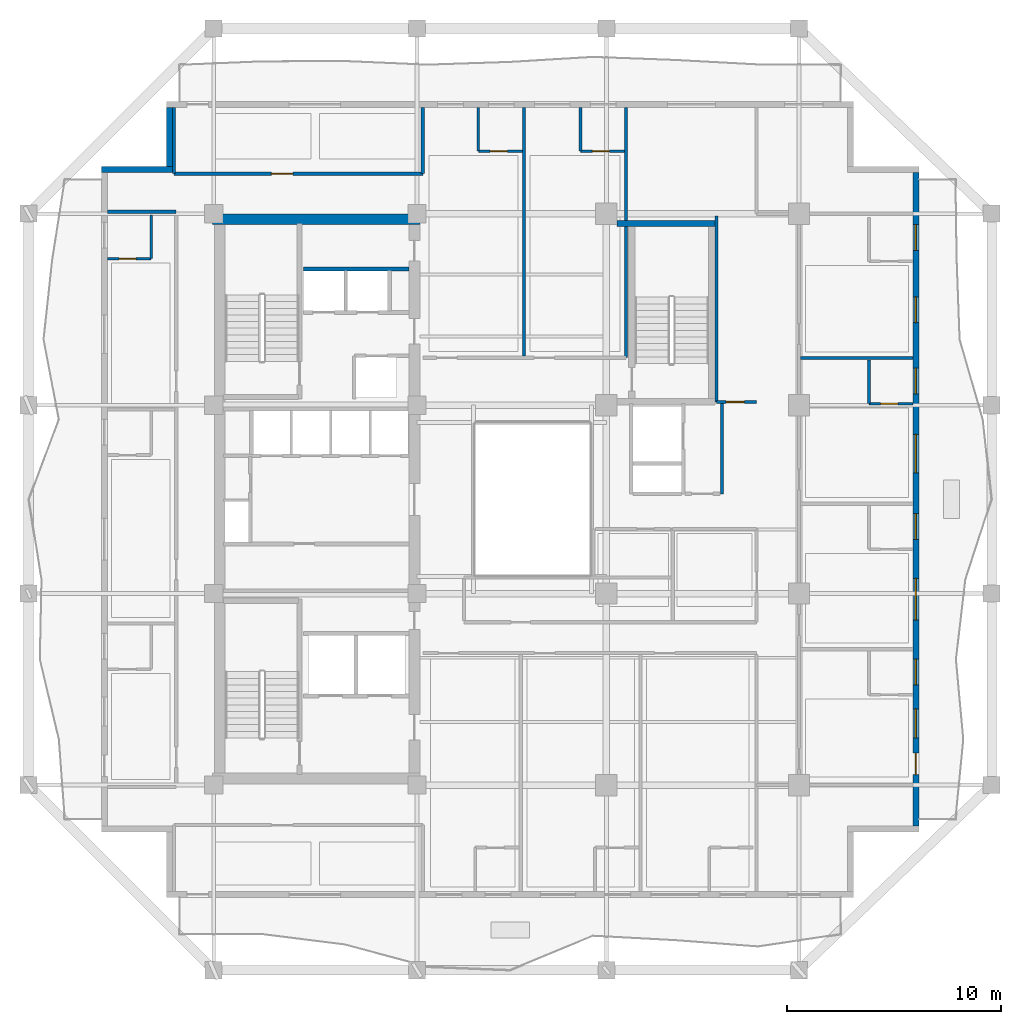
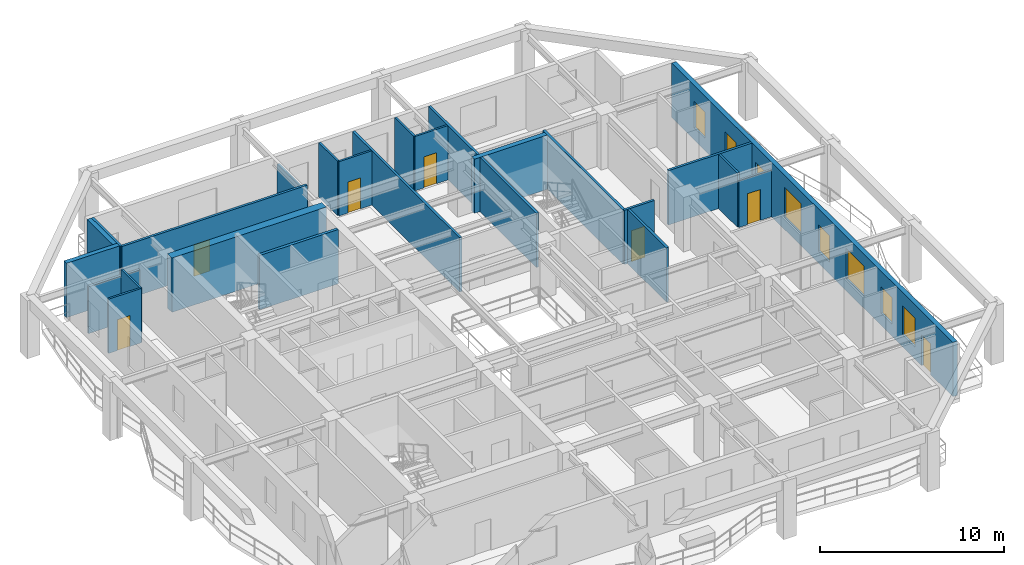
# One storey, part 6 of 11: 24 walls, 8 windows, 7 doors, 15 openings.
"""IFC4 building model written with IfcOpenShell, lengths in metres."""

from ifc_helpers import new_model, si_unit, direction, frame, frame_2d, origin, place, context, subcontext, project, spatial, rectangle, extrude, material, layer, layer_set, type_object, element, fill, save


model = new_model("IFC4")

# Units and contexts
model_context = context("Model", 3, precision=1e-05, world=origin(), true_north=direction((0.0, 1.0)))
body_context = subcontext(model_context, "Body", "Model", "MODEL_VIEW")
ifc_project = project(units=[si_unit("LENGTHUNIT", "METRE"), si_unit("AREAUNIT", "SQUARE_METRE"), si_unit("VOLUMEUNIT", "CUBIC_METRE"), si_unit("PLANEANGLEUNIT", "RADIAN"), si_unit("MASSUNIT", "GRAM", prefix="KILO")], contexts=[model_context])

# Site, building, storey
site_placement = place(None, origin())
site = spatial("IfcSite", under=ifc_project, at=site_placement, CompositionType="ELEMENT")
building_placement = place(site_placement, origin())
building = spatial("IfcBuilding", under=site, at=building_placement, Name="Kundavana Baori Tower", CompositionType="ELEMENT")
storey_placement = place(building_placement, frame((0.0, 0.0, 127.10009765625)))
storey = spatial("IfcBuildingStorey", under=building, at=storey_placement, Name="L30", CompositionType="ELEMENT", Elevation=127.10009765625)

# Wall
ifc_material_1 = material(Name="Concrete C50/60", Category="concrete")
ifc_layer_1 = layer(ifc_material_1, 0.5, Name="WL-CORE-500")
ifc_layer_set_1 = layer_set([ifc_layer_1], Name="Concrete C50/60")
wall_type_1 = type_object("IfcWallType", Name="WL-CORE-500", PredefinedType="SHEAR", material=ifc_layer_set_1)
wall_1_placement = place(storey_placement, frame((15.39990234375, 41.68994140625, 0.0), z_axis=(0.0, 0.0, 1.0), x_axis=(1.0, 0.0, 0.0)))
element("IfcWall", 1, at=wall_1_placement, inside=storey, type_object=wall_type_1, Name="L30 Offset Core North Shear Wall", PredefinedType="SHEAR", context=body_context, shape_type="SweptSolid", body=[
    extrude(rectangle(XDim=9.68017578125, YDim=0.5, at=frame_2d((4.840087890625, 0.0))), origin(), (0.0, 0.0, 1.0), 3.599853515625),
])

# Wall, openings, door, windows
ifc_material_2 = material(Name="Red-Buff Dholpur Sandstone Cladding on Concrete C40/50", Category="masonry")
ifc_layer_2 = layer(ifc_material_2, 0.280029296875, Name="WL-EXT-SAND-280")
ifc_layer_set_2 = layer_set([ifc_layer_2], Name="Red-Buff Dholpur Sandstone Cladding on Concrete C40/50")
wall_type_2 = type_object("IfcWallType", Name="WL-EXT-SAND-280", PredefinedType="STANDARD", material=ifc_layer_set_2)
wall_2_placement = place(storey_placement, frame((48.260009765625, 13.330078125, 0.0), z_axis=(0.0, 0.0, 1.0), x_axis=(0.0, 1.0, 0.0)))
wall_2 = element("IfcWall", 2, at=wall_2_placement, inside=storey, type_object=wall_type_2, Name="L30 Exterior Insulated Facade Wall 04", PredefinedType="STANDARD", context=body_context, shape_type="SweptSolid", body=[
    extrude(rectangle(XDim=30.5400390625, YDim=0.280029296875, at=frame_2d((15.27001953125, 0.0))), origin(), (0.0, 0.0, 1.0), 3.599853515625),
])
opening_1_placement = place(wall_2_placement, frame((2.409912109375, 0.0, 0.0)))
opening_1 = element("IfcOpeningElement", 3, at=opening_1_placement, cuts=wall_2, Name="Opening BD-1", PredefinedType="OPENING", context=body_context, shape_type="SweptSolid", body=[
    extrude(rectangle(XDim=1.0, YDim=2.050048828125, at=frame_2d((0.5, 1.02490234375))), frame((0.0, 0.14990234375, 0.0), z_axis=(0.0, -1.0, 0.0), x_axis=(1.0, 0.0, 0.0)), (0.0, 0.0, 1.0), 0.300048828125),
])
opening_2_placement = place(wall_2_placement, frame((4.1298828125, 0.0, 0.800048828125)))
opening_2 = element("IfcOpeningElement", 4, at=opening_2_placement, cuts=wall_2, Name="Opening W-07", PredefinedType="OPENING", context=body_context, shape_type="SweptSolid", body=[
    extrude(rectangle(XDim=1.35009765625, YDim=1.89990234375, at=frame_2d((0.675048828125, 0.949951171875))), frame((0.0, 0.14990234375, 0.0), z_axis=(0.0, -1.0, 0.0), x_axis=(1.0, 0.0, 0.0)), (0.0, 0.0, 1.0), 0.300048828125),
])
opening_3_placement = place(wall_2_placement, frame((6.60498046875, 0.0, 0.800048828125)))
opening_3 = element("IfcOpeningElement", 5, at=opening_3_placement, cuts=wall_2, Name="Opening W-03", PredefinedType="OPENING", context=body_context, shape_type="SweptSolid", body=[
    extrude(rectangle(XDim=1.199951171875, YDim=1.75, at=frame_2d((0.60009765625, 0.875))), frame((0.0, 0.14990234375, 0.0), z_axis=(0.0, -1.0, 0.0), x_axis=(1.0, 0.0, 0.0)), (0.0, 0.0, 1.0), 0.300048828125),
])
opening_4_placement = place(wall_2_placement, frame((9.6298828125, 0.0, 0.800048828125)))
opening_4 = element("IfcOpeningElement", 6, at=opening_4_placement, cuts=wall_2, Name="Opening W-09", PredefinedType="OPENING", context=body_context, shape_type="SweptSolid", body=[
    extrude(rectangle(XDim=1.949951171875, YDim=2.0, at=frame_2d((0.97509765625, 1.0))), frame((0.0, 0.14990234375, 0.0), z_axis=(0.0, -1.0, 0.0), x_axis=(1.0, 0.0, 0.0)), (0.0, 0.0, 1.0), 0.300048828125),
])
opening_5_placement = place(wall_2_placement, frame((13.405029296875, 0.0, 0.800048828125)))
opening_5 = element("IfcOpeningElement", 7, at=opening_5_placement, cuts=wall_2, Name="Opening W-03", PredefinedType="OPENING", context=body_context, shape_type="SweptSolid", body=[
    extrude(rectangle(XDim=1.199951171875, YDim=1.75, at=frame_2d((0.60009765625, 0.875))), frame((0.0, 0.14990234375, 0.0), z_axis=(0.0, -1.0, 0.0), x_axis=(1.0, 0.0, 0.0)), (0.0, 0.0, 1.0), 0.300048828125),
])
opening_6_placement = place(wall_2_placement, frame((16.5048828125, 0.0, 0.800048828125)))
opening_6 = element("IfcOpeningElement", 8, at=opening_6_placement, cuts=wall_2, Name="Opening W-01", PredefinedType="OPENING", context=body_context, shape_type="SweptSolid", body=[
    extrude(rectangle(XDim=1.800048828125, YDim=2.0, at=frame_2d((0.89990234375, 1.0))), frame((0.0, 0.14990234375, 0.0), z_axis=(0.0, -1.0, 0.0), x_axis=(1.0, 0.0, 0.0)), (0.0, 0.0, 1.0), 0.300048828125),
])
opening_7_placement = place(wall_2_placement, frame((20.205078125, 0.0, 0.800048828125)))
opening_7 = element("IfcOpeningElement", 9, at=opening_7_placement, cuts=wall_2, Name="Opening W-03", PredefinedType="OPENING", context=body_context, shape_type="SweptSolid", body=[
    extrude(rectangle(XDim=1.199951171875, YDim=1.75, at=frame_2d((0.60009765625, 0.875))), frame((0.0, 0.14990234375, 0.0), z_axis=(0.0, -1.0, 0.0), x_axis=(1.0, 0.0, 0.0)), (0.0, 0.0, 1.0), 0.300048828125),
])
opening_8_placement = place(wall_2_placement, frame((23.530029296875, 0.0, 0.800048828125)))
opening_8 = element("IfcOpeningElement", 10, at=opening_8_placement, cuts=wall_2, Name="Opening W-03", PredefinedType="OPENING", context=body_context, shape_type="SweptSolid", body=[
    extrude(rectangle(XDim=1.199951171875, YDim=1.75, at=frame_2d((0.60009765625, 0.875))), frame((0.0, 0.14990234375, 0.0), z_axis=(0.0, -1.0, 0.0), x_axis=(1.0, 0.0, 0.0)), (0.0, 0.0, 1.0), 0.300048828125),
])
opening_9_placement = place(wall_2_placement, frame((26.905029296875, 0.0, 0.800048828125)))
opening_9 = element("IfcOpeningElement", 11, at=opening_9_placement, cuts=wall_2, Name="Opening W-03", PredefinedType="OPENING", context=body_context, shape_type="SweptSolid", body=[
    extrude(rectangle(XDim=1.199951171875, YDim=1.75, at=frame_2d((0.60009765625, 0.875))), frame((0.0, 0.14990234375, 0.0), z_axis=(0.0, -1.0, 0.0), x_axis=(1.0, 0.0, 0.0)), (0.0, 0.0, 1.0), 0.300048828125),
])
ifc_material_3 = material(Name="Architectural Patinated Bronze Metalwork")
door_type_1 = type_object("IfcDoorType", Name="DR-EXT-LOG-1000", OperationType="NOTDEFINED", PredefinedType="DOOR", material=ifc_material_3)
door_1_placement = place(opening_1_placement, frame((1.0, 0.0, 0.0), z_axis=(0.0, 0.0, 1.0), x_axis=(-1.0, 0.0, 0.0)))
door_1 = element("IfcDoor", 12, at=door_1_placement, inside=storey, type_object=door_type_1, Name="L30 Loggia Balcony Access Door E", OperationType="SINGLE_SWING_RIGHT", OverallHeight=2.050048828125, OverallWidth=1.0, PredefinedType="DOOR", context=body_context, shape_type="SweptSolid", body=[
    extrude(rectangle(XDim=1.0, YDim=2.050048828125, at=frame_2d((0.5, 1.02490234375))), frame((0.0, 0.02490234375, 0.0), z_axis=(0.0, -1.0, 0.0), x_axis=(1.0, 0.0, 0.0)), (0.0, 0.0, 1.0), 0.050048828125),
])
fill(opening_1, door_1)
ifc_material_4 = material(Name="Double-Glazed Solar-Control Low-E Insulated Glass", Category="glass")
window_type_1 = type_object("IfcWindowType", Name="WIN-LOG-1200x1750", PartitioningType="SINGLE_PANEL", PredefinedType="WINDOW", material=ifc_material_4)
window_1_placement = place(opening_3_placement, origin())
window_1 = element("IfcWindow", 13, at=window_1_placement, inside=storey, type_object=window_type_1, Name="L30 Recessed Loggia Window E-2", OverallHeight=1.75, OverallWidth=1.199951171875, PartitioningType="SINGLE_PANEL", PredefinedType="WINDOW", context=body_context, shape_type="SweptSolid", body=[
    extrude(rectangle(XDim=1.199951171875, YDim=1.75, at=frame_2d((0.60009765625, 0.875))), frame((0.0, 0.030029296875, 0.0), z_axis=(0.0, -1.0, 0.0), x_axis=(1.0, 0.0, 0.0)), (0.0, 0.0, 1.0), 0.06005859375),
])
fill(opening_3, window_1)
window_2_placement = place(opening_5_placement, origin())
window_2 = element("IfcWindow", 14, at=window_2_placement, inside=storey, type_object=window_type_1, Name="L30 Recessed Loggia Window E-4", OverallHeight=1.75, OverallWidth=1.199951171875, PartitioningType="SINGLE_PANEL", PredefinedType="WINDOW", context=body_context, shape_type="SweptSolid", body=[
    extrude(rectangle(XDim=1.199951171875, YDim=1.75, at=frame_2d((0.60009765625, 0.875))), frame((0.0, 0.030029296875, 0.0), z_axis=(0.0, -1.0, 0.0), x_axis=(1.0, 0.0, 0.0)), (0.0, 0.0, 1.0), 0.06005859375),
])
fill(opening_5, window_2)
window_3_placement = place(opening_7_placement, origin())
window_3 = element("IfcWindow", 15, at=window_3_placement, inside=storey, type_object=window_type_1, Name="L30 Recessed Loggia Window E-6", OverallHeight=1.75, OverallWidth=1.199951171875, PartitioningType="SINGLE_PANEL", PredefinedType="WINDOW", context=body_context, shape_type="SweptSolid", body=[
    extrude(rectangle(XDim=1.199951171875, YDim=1.75, at=frame_2d((0.60009765625, 0.875))), frame((0.0, 0.030029296875, 0.0), z_axis=(0.0, -1.0, 0.0), x_axis=(1.0, 0.0, 0.0)), (0.0, 0.0, 1.0), 0.06005859375),
])
fill(opening_7, window_3)
window_4_placement = place(opening_8_placement, origin())
window_4 = element("IfcWindow", 16, at=window_4_placement, inside=storey, type_object=window_type_1, Name="L30 Recessed Loggia Window E-7", OverallHeight=1.75, OverallWidth=1.199951171875, PartitioningType="SINGLE_PANEL", PredefinedType="WINDOW", context=body_context, shape_type="SweptSolid", body=[
    extrude(rectangle(XDim=1.199951171875, YDim=1.75, at=frame_2d((0.60009765625, 0.875))), frame((0.0, 0.030029296875, 0.0), z_axis=(0.0, -1.0, 0.0), x_axis=(1.0, 0.0, 0.0)), (0.0, 0.0, 1.0), 0.06005859375),
])
fill(opening_8, window_4)
window_5_placement = place(opening_9_placement, origin())
window_5 = element("IfcWindow", 17, at=window_5_placement, inside=storey, type_object=window_type_1, Name="L30 Recessed Loggia Window E-8", OverallHeight=1.75, OverallWidth=1.199951171875, PartitioningType="SINGLE_PANEL", PredefinedType="WINDOW", context=body_context, shape_type="SweptSolid", body=[
    extrude(rectangle(XDim=1.199951171875, YDim=1.75, at=frame_2d((0.60009765625, 0.875))), frame((0.0, 0.030029296875, 0.0), z_axis=(0.0, -1.0, 0.0), x_axis=(1.0, 0.0, 0.0)), (0.0, 0.0, 1.0), 0.06005859375),
])
fill(opening_9, window_5)
ifc_material_5 = material(Name="Double-Glazed Solar-Control Low-E Insulated Glass", Category="glass")
window_type_2 = type_object("IfcWindowType", Name="WIN-LOG-1350x1900", PartitioningType="SINGLE_PANEL", PredefinedType="WINDOW", material=ifc_material_5)
window_6_placement = place(opening_2_placement, origin())
window_6 = element("IfcWindow", 18, at=window_6_placement, inside=storey, type_object=window_type_2, Name="L30 Recessed Loggia Window E-1", OverallHeight=1.89990234375, OverallWidth=1.35009765625, PartitioningType="SINGLE_PANEL", PredefinedType="WINDOW", context=body_context, shape_type="SweptSolid", body=[
    extrude(rectangle(XDim=1.35009765625, YDim=1.89990234375, at=frame_2d((0.675048828125, 0.949951171875))), frame((0.0, 0.030029296875, 0.0), z_axis=(0.0, -1.0, 0.0), x_axis=(1.0, 0.0, 0.0)), (0.0, 0.0, 1.0), 0.06005859375),
])
fill(opening_2, window_6)
ifc_material_6 = material(Name="Double-Glazed Solar-Control Low-E Insulated Glass", Category="glass")
window_type_3 = type_object("IfcWindowType", Name="WIN-LOG-1800x2000", PartitioningType="SINGLE_PANEL", PredefinedType="WINDOW", material=ifc_material_6)
window_7_placement = place(opening_6_placement, origin())
window_7 = element("IfcWindow", 19, at=window_7_placement, inside=storey, type_object=window_type_3, Name="L30 Recessed Loggia Window E-5", OverallHeight=2.0, OverallWidth=1.800048828125, PartitioningType="SINGLE_PANEL", PredefinedType="WINDOW", context=body_context, shape_type="SweptSolid", body=[
    extrude(rectangle(XDim=1.800048828125, YDim=2.0, at=frame_2d((0.89990234375, 1.0))), frame((0.0, 0.030029296875, 0.0), z_axis=(0.0, -1.0, 0.0), x_axis=(1.0, 0.0, 0.0)), (0.0, 0.0, 1.0), 0.06005859375),
])
fill(opening_6, window_7)
ifc_material_7 = material(Name="Double-Glazed Solar-Control Low-E Insulated Glass", Category="glass")
window_type_4 = type_object("IfcWindowType", Name="WIN-LOG-1950x2000", PartitioningType="SINGLE_PANEL", PredefinedType="WINDOW", material=ifc_material_7)
window_8_placement = place(opening_4_placement, origin())
window_8 = element("IfcWindow", 20, at=window_8_placement, inside=storey, type_object=window_type_4, Name="L30 Recessed Loggia Window E-3", OverallHeight=2.0, OverallWidth=1.949951171875, PartitioningType="SINGLE_PANEL", PredefinedType="WINDOW", context=body_context, shape_type="SweptSolid", body=[
    extrude(rectangle(XDim=1.949951171875, YDim=2.0, at=frame_2d((0.97509765625, 1.0))), frame((0.0, 0.030029296875, 0.0), z_axis=(0.0, -1.0, 0.0), x_axis=(1.0, 0.0, 0.0)), (0.0, 0.0, 1.0), 0.06005859375),
])
fill(opening_4, window_8)

# Walls
wall_3_placement = place(storey_placement, frame((13.389892578125, 46.919921875, 0.0), z_axis=(0.0, 0.0, 1.0), x_axis=(0.0, -1.0, 0.0)))
element("IfcWall", 21, at=wall_3_placement, inside=storey, type_object=wall_type_2, Name="L30 Exterior Insulated Facade Wall 08", PredefinedType="STANDARD", context=body_context, shape_type="SweptSolid", body=[
    extrude(rectangle(XDim=2.77001953125, YDim=0.280029296875, at=frame_2d((1.385009765625, 0.0))), origin(), (0.0, 0.0, 1.0), 3.599853515625),
])
wall_4_placement = place(storey_placement, frame((13.530029296875, 44.010009765625, 0.0), z_axis=(0.0, 0.0, 1.0), x_axis=(-1.0, 0.0, 0.0)))
element("IfcWall", 22, at=wall_4_placement, inside=storey, type_object=wall_type_2, Name="L30 Exterior Insulated Facade Wall 09", PredefinedType="STANDARD", context=body_context, shape_type="SweptSolid", body=[
    extrude(rectangle(XDim=3.330078125, YDim=0.280029296875, at=frame_2d((1.6650390625, 0.0))), origin(), (0.0, 0.0, 1.0), 3.599853515625),
])
ifc_material_8 = material(Name="Fire-Rated Gypsum Drywall on Galvanised Steel Studs", Category="steel")
ifc_layer_3 = layer(ifc_material_8, 0.14990234375, Name="WL-PART-150")
ifc_layer_set_3 = layer_set([ifc_layer_3], Name="Fire-Rated Gypsum Drywall on Galvanised Steel Studs")
wall_type_3 = type_object("IfcWallType", Name="WL-PART-150", PredefinedType="PARTITIONING", material=ifc_layer_set_3)
wall_5_placement = place(storey_placement, frame((39.199951171875, 28.860107421875, 0.0), z_axis=(0.0, 0.0, 1.0), x_axis=(0.0, 1.0, 0.0)))
element("IfcWall", 23, at=wall_5_placement, inside=storey, type_object=wall_type_3, Name="WL-L30-SVLOB-E", PredefinedType="PARTITIONING", context=body_context, shape_type="SweptSolid", body=[
    extrude(rectangle(XDim=4.219970703125, YDim=0.14990234375, at=frame_2d((2.10986328125, 0.0))), origin(), (0.0, 0.0, 1.0), 3.599853515625),
])
wall_6_placement = place(storey_placement, frame((10.47998046875, 42.0400390625, 0.0), z_axis=(0.0, 0.0, 1.0), x_axis=(1.0, 0.0, 0.0)))
element("IfcWall", 24, at=wall_6_placement, inside=storey, type_object=wall_type_3, Name="WL-L30-HWN", PredefinedType="PARTITIONING", context=body_context, shape_type="SweptSolid", body=[
    extrude(rectangle(XDim=3.219970703125, YDim=0.14990234375, at=frame_2d((1.60986328125, 0.0))), origin(), (0.0, 0.0, 1.0), 3.099853515625),
])

# Wall, opening, door
wall_7_placement = place(storey_placement, frame((13.590087890625, 43.820068359375, 0.0), z_axis=(0.0, 0.0, 1.0), x_axis=(1.0, 0.0, 0.0)))
wall_7 = element("IfcWall", 25, at=wall_7_placement, inside=storey, type_object=wall_type_3, Name="WL-L30-HNC", PredefinedType="PARTITIONING", context=body_context, shape_type="SweptSolid", body=[
    extrude(rectangle(XDim=11.6298828125, YDim=0.14990234375, at=frame_2d((5.81494140625, 0.0))), origin(), (0.0, 0.0, 1.0), 3.599853515625),
])
opening_10_placement = place(wall_7_placement, frame((4.56005859375, 0.0, 0.0)))
opening_10 = element("IfcOpeningElement", 26, at=opening_10_placement, cuts=wall_7, Name="Opening ID-100", PredefinedType="OPENING", context=body_context, shape_type="SweptSolid", body=[
    extrude(rectangle(XDim=1.0, YDim=2.080078125, at=frame_2d((0.5, 1.0400390625))), frame((0.0, 0.0849609375, 0.0), z_axis=(0.0, -1.0, 0.0), x_axis=(1.0, 0.0, 0.0)), (0.0, 0.0, 1.0), 0.169921875),
])
ifc_material_9 = material(Name="Engineered Teak Solid-Core Timber Veneer", Category="wood")
door_type_2 = type_object("IfcDoorType", Name="DR-INT-1000", OperationType="NOTDEFINED", PredefinedType="DOOR", material=ifc_material_9)
door_2_placement = place(opening_10_placement, origin())
door_2 = element("IfcDoor", 27, at=door_2_placement, inside=storey, type_object=door_type_2, Name="DR-L30-HMNW", OperationType="SINGLE_SWING_RIGHT", OverallHeight=2.080078125, OverallWidth=1.0, PredefinedType="DOOR", context=body_context, shape_type="SweptSolid", body=[
    extrude(rectangle(XDim=1.0, YDim=2.080078125, at=frame_2d((0.5, 1.0400390625))), frame((0.0, 0.02490234375, 0.0), z_axis=(0.0, -1.0, 0.0), x_axis=(1.0, 0.0, 0.0)), (0.0, 0.0, 1.0), 0.050048828125),
])
fill(opening_10, door_2)

# Walls
wall_8_placement = place(storey_placement, frame((13.590087890625, 43.820068359375, 0.0), z_axis=(0.0, 0.0, 1.0), x_axis=(0.0, 1.0, 0.0)))
element("IfcWall", 28, at=wall_8_placement, inside=storey, type_object=wall_type_3, Name="WL-L30-HNCW", PredefinedType="PARTITIONING", context=body_context, shape_type="SweptSolid", body=[
    extrude(rectangle(XDim=3.099853515625, YDim=0.14990234375, at=frame_2d((1.5498046875, 0.0))), origin(), (0.0, 0.0, 1.0), 3.599853515625),
])
wall_9_placement = place(storey_placement, frame((25.219970703125, 43.820068359375, 0.0), z_axis=(0.0, 0.0, 1.0), x_axis=(0.0, 1.0, 0.0)))
element("IfcWall", 29, at=wall_9_placement, inside=storey, type_object=wall_type_3, Name="WL-L30-HNCE", PredefinedType="PARTITIONING", context=body_context, shape_type="SweptSolid", body=[
    extrude(rectangle(XDim=3.099853515625, YDim=0.14990234375, at=frame_2d((1.5498046875, 0.0))), origin(), (0.0, 0.0, 1.0), 3.099853515625),
])
wall_10_placement = place(storey_placement, frame((42.8798828125, 35.199951171875, 0.0), z_axis=(0.0, 0.0, 1.0), x_axis=(1.0, 0.0, 0.0)))
element("IfcWall", 30, at=wall_10_placement, inside=storey, type_object=wall_type_3, Name="WL-L30-HED3", PredefinedType="PARTITIONING", context=body_context, shape_type="SweptSolid", body=[
    extrude(rectangle(XDim=5.240234375, YDim=0.14990234375, at=frame_2d((2.6201171875, 0.0))), origin(), (0.0, 0.0, 1.0), 3.599853515625),
])
wall_11_placement = place(storey_placement, frame((34.719970703125, 35.219970703125, 0.0), z_axis=(0.0, 0.0, 1.0), x_axis=(0.0, 1.0, 0.0)))
element("IfcWall", 31, at=wall_11_placement, inside=storey, type_object=wall_type_3, Name="WL-L30-HNEND", PredefinedType="PARTITIONING", context=body_context, shape_type="SweptSolid", body=[
    extrude(rectangle(XDim=11.699951171875, YDim=0.14990234375, at=frame_2d((5.85009765625, 0.0))), origin(), (0.0, 0.0, 1.0), 3.599853515625),
])
wall_12_placement = place(storey_placement, frame((29.949951171875, 35.300048828125, 0.0), z_axis=(0.0, 0.0, 1.0), x_axis=(0.0, 1.0, 0.0)))
element("IfcWall", 32, at=wall_12_placement, inside=storey, type_object=wall_type_3, Name="WL-L30-HND1", PredefinedType="PARTITIONING", context=body_context, shape_type="SweptSolid", body=[
    extrude(rectangle(XDim=11.619873046875, YDim=0.14990234375, at=frame_2d((5.81005859375, 0.0))), origin(), (0.0, 0.0, 1.0), 3.599853515625),
])

# Wall, opening, door
wall_13_placement = place(storey_placement, frame((38.949951171875, 33.14990234375, 0.0), z_axis=(0.0, 0.0, 1.0), x_axis=(1.0, 0.0, 0.0)))
wall_13 = element("IfcWall", 33, at=wall_13_placement, inside=storey, type_object=wall_type_3, Name="WL-L30-HNES", PredefinedType="PARTITIONING", context=body_context, shape_type="SweptSolid", body=[
    extrude(rectangle(XDim=1.8701171875, YDim=0.14990234375, at=frame_2d((0.93505859375, 0.0))), origin(), (0.0, 0.0, 1.0), 3.599853515625),
])
opening_11_placement = place(wall_13_placement, frame((0.449951171875, 0.0, 0.0)))
opening_11 = element("IfcOpeningElement", 34, at=opening_11_placement, cuts=wall_13, Name="Opening WD-085", PredefinedType="OPENING", context=body_context, shape_type="SweptSolid", body=[
    extrude(rectangle(XDim=0.85009765625, YDim=2.050048828125, at=frame_2d((0.425048828125, 1.02490234375))), frame((0.0, 0.0849609375, 0.0), z_axis=(0.0, -1.0, 0.0), x_axis=(1.0, 0.0, 0.0)), (0.0, 0.0, 1.0), 0.169921875),
])
ifc_material_10 = material(Name="Engineered Teak Solid-Core Timber Veneer", Category="wood")
door_type_3 = type_object("IfcDoorType", Name="DR-WET-850", OperationType="NOTDEFINED", PredefinedType="DOOR", material=ifc_material_10)
door_3_placement = place(opening_11_placement, origin())
door_3 = element("IfcDoor", 35, at=door_3_placement, inside=storey, type_object=door_type_3, Name="DR-L30-HLNE", OperationType="SINGLE_SWING_LEFT", OverallHeight=2.050048828125, OverallWidth=0.85009765625, PredefinedType="DOOR", context=body_context, shape_type="SweptSolid", body=[
    extrude(rectangle(XDim=0.85009765625, YDim=2.050048828125, at=frame_2d((0.425048828125, 1.02490234375))), frame((0.0, 0.02490234375, 0.0), z_axis=(0.0, -1.0, 0.0), x_axis=(1.0, 0.0, 0.0)), (0.0, 0.0, 1.0), 0.050048828125),
])
fill(opening_11, door_3)

# Walls
wall_14_placement = place(storey_placement, frame((38.949951171875, 33.14990234375, 0.0), z_axis=(0.0, 0.0, 1.0), x_axis=(0.0, 1.0, 0.0)))
element("IfcWall", 36, at=wall_14_placement, inside=storey, type_object=wall_type_3, Name="WL-L30-HNEW", PredefinedType="PARTITIONING", context=body_context, shape_type="SweptSolid", body=[
    extrude(rectangle(XDim=8.7001953125, YDim=0.14990234375, at=frame_2d((4.35009765625, 0.0))), origin(), (0.0, 0.0, 1.0), 3.599853515625),
])
ifc_material_11 = material(Name="Autoclaved Aerated Concrete Blockwork Masonry", Category="masonry")
ifc_layer_4 = layer(ifc_material_11, 0.179931640625, Name="WL-SHAFT-180")
ifc_layer_set_4 = layer_set([ifc_layer_4], Name="Autoclaved Aerated Concrete Blockwork Masonry")
wall_type_4 = type_object("IfcWallType", Name="WL-SHAFT-180", PredefinedType="SOLIDWALL", material=ifc_layer_set_4)
wall_15_placement = place(storey_placement, frame((19.639892578125, 39.360107421875, 0.0), z_axis=(0.0, 0.0, 1.0), x_axis=(1.0, 0.0, 0.0)))
element("IfcWall", 37, at=wall_15_placement, inside=storey, type_object=wall_type_4, Name="WL-L30-HRLOB-TOP", PredefinedType="SOLIDWALL", context=body_context, shape_type="SweptSolid", body=[
    extrude(rectangle(XDim=4.940185546875, YDim=0.179931640625, at=frame_2d((2.47021484375, 0.0))), origin(), (0.0, 0.0, 1.0), 3.599853515625),
])
ifc_material_12 = material(Name="Concrete C50/60", Category="concrete")
ifc_layer_5 = layer(ifc_material_12, 0.300048828125, Name="WL-ST3-300")
ifc_layer_set_5 = layer_set([ifc_layer_5], Name="Concrete C50/60")
wall_type_5 = type_object("IfcWallType", Name="WL-ST3-300", PredefinedType="SHEAR", material=ifc_layer_set_5)
wall_16_placement = place(storey_placement, frame((34.300048828125, 41.489990234375, 0.0), z_axis=(0.0, 0.0, 1.0), x_axis=(1.0, 0.0, 0.0)))
element("IfcWall", 38, at=wall_16_placement, inside=storey, type_object=wall_type_5, Name="L30 Stair ST3 North Shear Wall", PredefinedType="SHEAR", context=body_context, shape_type="SweptSolid", body=[
    extrude(rectangle(XDim=4.570068359375, YDim=0.300048828125, at=frame_2d((2.28515625, 0.0))), origin(), (0.0, 0.0, 1.0), 3.599853515625),
])
ifc_material_13 = material(Name="Autoclaved Aerated Concrete Blockwork Masonry", Category="masonry")
ifc_layer_6 = layer(ifc_material_13, 0.125, Name="WL-WET-120")
ifc_layer_set_6 = layer_set([ifc_layer_6], Name="Autoclaved Aerated Concrete Blockwork Masonry")
wall_type_6 = type_object("IfcWallType", Name="WL-WET-120", PredefinedType="PLUMBINGWALL", material=ifc_layer_set_6)
wall_17_placement = place(storey_placement, frame((12.530029296875, 39.85009765625, 0.0), z_axis=(0.0, 0.0, 1.0), x_axis=(0.0, 1.0, 0.0)))
element("IfcWall", 39, at=wall_17_placement, inside=storey, type_object=wall_type_6, Name="WL-L30-HK-W3-BE", PredefinedType="PLUMBINGWALL", context=body_context, shape_type="SweptSolid", body=[
    extrude(rectangle(XDim=2.0498046875, YDim=0.125, at=frame_2d((1.02490234375, 0.0))), origin(), (0.0, 0.0, 1.0), 3.599853515625),
])

# Wall, opening, door
wall_18_placement = place(storey_placement, frame((10.47998046875, 39.85009765625, 0.0), z_axis=(0.0, 0.0, 1.0), x_axis=(1.0, 0.0, 0.0)))
wall_18 = element("IfcWall", 40, at=wall_18_placement, inside=storey, type_object=wall_type_6, Name="WL-L30-HK-W3-BS", PredefinedType="PLUMBINGWALL", context=body_context, shape_type="SweptSolid", body=[
    extrude(rectangle(XDim=2.050048828125, YDim=0.125, at=frame_2d((1.02490234375, 0.0))), origin(), (0.0, 0.0, 1.0), 3.599853515625),
])
opening_12_placement = place(wall_18_placement, frame((0.550048828125, 0.0, 0.0)))
opening_12 = element("IfcOpeningElement", 41, at=opening_12_placement, cuts=wall_18, Name="Opening WD-080", PredefinedType="OPENING", context=body_context, shape_type="SweptSolid", body=[
    extrude(rectangle(XDim=0.800048828125, YDim=2.050048828125, at=frame_2d((0.39990234375, 1.02490234375))), frame((0.0, 0.072509765625, 0.0), z_axis=(0.0, -1.0, 0.0), x_axis=(1.0, 0.0, 0.0)), (0.0, 0.0, 1.0), 0.14501953125),
])
ifc_material_14 = material(Name="Engineered Teak Solid-Core Timber Veneer", Category="wood")
door_type_4 = type_object("IfcDoorType", Name="DR-WET-800", OperationType="NOTDEFINED", PredefinedType="DOOR", material=ifc_material_14)
door_4_placement = place(opening_12_placement, frame((0.800048828125, 0.0, 0.0), z_axis=(0.0, 0.0, 1.0), x_axis=(-1.0, 0.0, 0.0)))
door_4 = element("IfcDoor", 42, at=door_4_placement, inside=storey, type_object=door_type_4, Name="DR-L30-HK-W3-ENS", OperationType="SINGLE_SWING_LEFT", OverallHeight=2.050048828125, OverallWidth=0.800048828125, PredefinedType="DOOR", context=body_context, shape_type="SweptSolid", body=[
    extrude(rectangle(XDim=0.800048828125, YDim=2.050048828125, at=frame_2d((0.39990234375, 1.02490234375))), frame((0.0, 0.02490234375, 0.0), z_axis=(0.0, -1.0, 0.0), x_axis=(1.0, 0.0, 0.0)), (0.0, 0.0, 1.0), 0.050048828125),
])
fill(opening_12, door_4)

# Wall
wall_19_placement = place(storey_placement, frame((46.070068359375, 33.070068359375, 0.0), z_axis=(0.0, 0.0, 1.0), x_axis=(0.0, 1.0, 0.0)))
element("IfcWall", 43, at=wall_19_placement, inside=storey, type_object=wall_type_6, Name="WL-L30-HK-E3-BW", PredefinedType="PLUMBINGWALL", context=body_context, shape_type="SweptSolid", body=[
    extrude(rectangle(XDim=2.050048828125, YDim=0.125, at=frame_2d((1.02490234375, 0.0))), origin(), (0.0, 0.0, 1.0), 3.599853515625),
])

# Wall, opening, door
wall_20_placement = place(storey_placement, frame((46.070068359375, 33.070068359375, 0.0), z_axis=(0.0, 0.0, 1.0), x_axis=(1.0, 0.0, 0.0)))
wall_20 = element("IfcWall", 44, at=wall_20_placement, inside=storey, type_object=wall_type_6, Name="WL-L30-HK-E3-BS", PredefinedType="PLUMBINGWALL", context=body_context, shape_type="SweptSolid", body=[
    extrude(rectangle(XDim=2.050048828125, YDim=0.125, at=frame_2d((1.02490234375, 0.0))), origin(), (0.0, 0.0, 1.0), 3.099853515625),
])
opening_13_placement = place(wall_20_placement, frame((0.550048828125, 0.0, 0.0)))
opening_13 = element("IfcOpeningElement", 45, at=opening_13_placement, cuts=wall_20, Name="Opening WD-080", PredefinedType="OPENING", context=body_context, shape_type="SweptSolid", body=[
    extrude(rectangle(XDim=0.800048828125, YDim=2.050048828125, at=frame_2d((0.39990234375, 1.02490234375))), frame((0.0, 0.072509765625, 0.0), z_axis=(0.0, -1.0, 0.0), x_axis=(1.0, 0.0, 0.0)), (0.0, 0.0, 1.0), 0.14501953125),
])
door_5_placement = place(opening_13_placement, frame((0.800048828125, 0.0, 0.0), z_axis=(0.0, 0.0, 1.0), x_axis=(-1.0, 0.0, 0.0)))
door_5 = element("IfcDoor", 46, at=door_5_placement, inside=storey, type_object=door_type_4, Name="DR-L30-HK-E3-ENS", OperationType="SINGLE_SWING_LEFT", OverallHeight=2.050048828125, OverallWidth=0.800048828125, PredefinedType="DOOR", context=body_context, shape_type="SweptSolid", body=[
    extrude(rectangle(XDim=0.800048828125, YDim=2.050048828125, at=frame_2d((0.39990234375, 1.02490234375))), frame((0.0, 0.02490234375, 0.0), z_axis=(0.0, -1.0, 0.0), x_axis=(1.0, 0.0, 0.0)), (0.0, 0.0, 1.0), 0.050048828125),
])
fill(opening_13, door_5)

# Wall
wall_21_placement = place(storey_placement, frame((27.820068359375, 44.8701171875, 0.0), z_axis=(0.0, 0.0, 1.0), x_axis=(0.0, 1.0, 0.0)))
element("IfcWall", 47, at=wall_21_placement, inside=storey, type_object=wall_type_6, Name="WL-L30-HK-N1-BW", PredefinedType="PLUMBINGWALL", context=body_context, shape_type="SweptSolid", body=[
    extrude(rectangle(XDim=2.0498046875, YDim=0.125, at=frame_2d((1.02490234375, 0.0))), origin(), (0.0, 0.0, 1.0), 3.599853515625),
])

# Wall, opening, door
wall_22_placement = place(storey_placement, frame((27.820068359375, 44.8701171875, 0.0), z_axis=(0.0, 0.0, 1.0), x_axis=(1.0, 0.0, 0.0)))
wall_22 = element("IfcWall", 48, at=wall_22_placement, inside=storey, type_object=wall_type_6, Name="WL-L30-HK-N1-BS", PredefinedType="PLUMBINGWALL", context=body_context, shape_type="SweptSolid", body=[
    extrude(rectangle(XDim=2.050048828125, YDim=0.125, at=frame_2d((1.02490234375, 0.0))), origin(), (0.0, 0.0, 1.0), 3.599853515625),
])
opening_14_placement = place(wall_22_placement, frame((0.550048828125, 0.0, 0.0)))
opening_14 = element("IfcOpeningElement", 49, at=opening_14_placement, cuts=wall_22, Name="Opening WD-080", PredefinedType="OPENING", context=body_context, shape_type="SweptSolid", body=[
    extrude(rectangle(XDim=0.800048828125, YDim=2.050048828125, at=frame_2d((0.39990234375, 1.02490234375))), frame((0.0, 0.072509765625, 0.0), z_axis=(0.0, -1.0, 0.0), x_axis=(1.0, 0.0, 0.0)), (0.0, 0.0, 1.0), 0.14501953125),
])
door_6_placement = place(opening_14_placement, frame((0.800048828125, 0.0, 0.0), z_axis=(0.0, 0.0, 1.0), x_axis=(-1.0, 0.0, 0.0)))
door_6 = element("IfcDoor", 50, at=door_6_placement, inside=storey, type_object=door_type_4, Name="DR-L30-HK-N1-ENS", OperationType="SINGLE_SWING_LEFT", OverallHeight=2.050048828125, OverallWidth=0.800048828125, PredefinedType="DOOR", context=body_context, shape_type="SweptSolid", body=[
    extrude(rectangle(XDim=0.800048828125, YDim=2.050048828125, at=frame_2d((0.39990234375, 1.02490234375))), frame((0.0, 0.02490234375, 0.0), z_axis=(0.0, -1.0, 0.0), x_axis=(1.0, 0.0, 0.0)), (0.0, 0.0, 1.0), 0.050048828125),
])
fill(opening_14, door_6)

# Wall
wall_23_placement = place(storey_placement, frame((32.590087890625, 44.8701171875, 0.0), z_axis=(0.0, 0.0, 1.0), x_axis=(0.0, 1.0, 0.0)))
element("IfcWall", 51, at=wall_23_placement, inside=storey, type_object=wall_type_6, Name="WL-L30-HK-N2-BW", PredefinedType="PLUMBINGWALL", context=body_context, shape_type="SweptSolid", body=[
    extrude(rectangle(XDim=2.0498046875, YDim=0.125, at=frame_2d((1.02490234375, 0.0))), origin(), (0.0, 0.0, 1.0), 3.599853515625),
])

# Wall, opening, door
wall_24_placement = place(storey_placement, frame((32.590087890625, 44.8701171875, 0.0), z_axis=(0.0, 0.0, 1.0), x_axis=(1.0, 0.0, 0.0)))
wall_24 = element("IfcWall", 52, at=wall_24_placement, inside=storey, type_object=wall_type_6, Name="WL-L30-HK-N2-BS", PredefinedType="PLUMBINGWALL", context=body_context, shape_type="SweptSolid", body=[
    extrude(rectangle(XDim=2.0498046875, YDim=0.125, at=frame_2d((1.02490234375, 0.0))), origin(), (0.0, 0.0, 1.0), 3.599853515625),
])
opening_15_placement = place(wall_24_placement, frame((0.550048828125, 0.0, 0.0)))
opening_15 = element("IfcOpeningElement", 53, at=opening_15_placement, cuts=wall_24, Name="Opening WD-080", PredefinedType="OPENING", context=body_context, shape_type="SweptSolid", body=[
    extrude(rectangle(XDim=0.800048828125, YDim=2.050048828125, at=frame_2d((0.39990234375, 1.02490234375))), frame((0.0, 0.072509765625, 0.0), z_axis=(0.0, -1.0, 0.0), x_axis=(1.0, 0.0, 0.0)), (0.0, 0.0, 1.0), 0.14501953125),
])
door_7_placement = place(opening_15_placement, frame((0.800048828125, 0.0, 0.0), z_axis=(0.0, 0.0, 1.0), x_axis=(-1.0, 0.0, 0.0)))
door_7 = element("IfcDoor", 54, at=door_7_placement, inside=storey, type_object=door_type_4, Name="DR-L30-HK-N2-ENS", OperationType="SINGLE_SWING_LEFT", OverallHeight=2.050048828125, OverallWidth=0.800048828125, PredefinedType="DOOR", context=body_context, shape_type="SweptSolid", body=[
    extrude(rectangle(XDim=0.800048828125, YDim=2.050048828125, at=frame_2d((0.39990234375, 1.02490234375))), frame((0.0, 0.02490234375, 0.0), z_axis=(0.0, -1.0, 0.0), x_axis=(1.0, 0.0, 0.0)), (0.0, 0.0, 1.0), 0.050048828125),
])
fill(opening_15, door_7)

save(model, "model.ifc")
